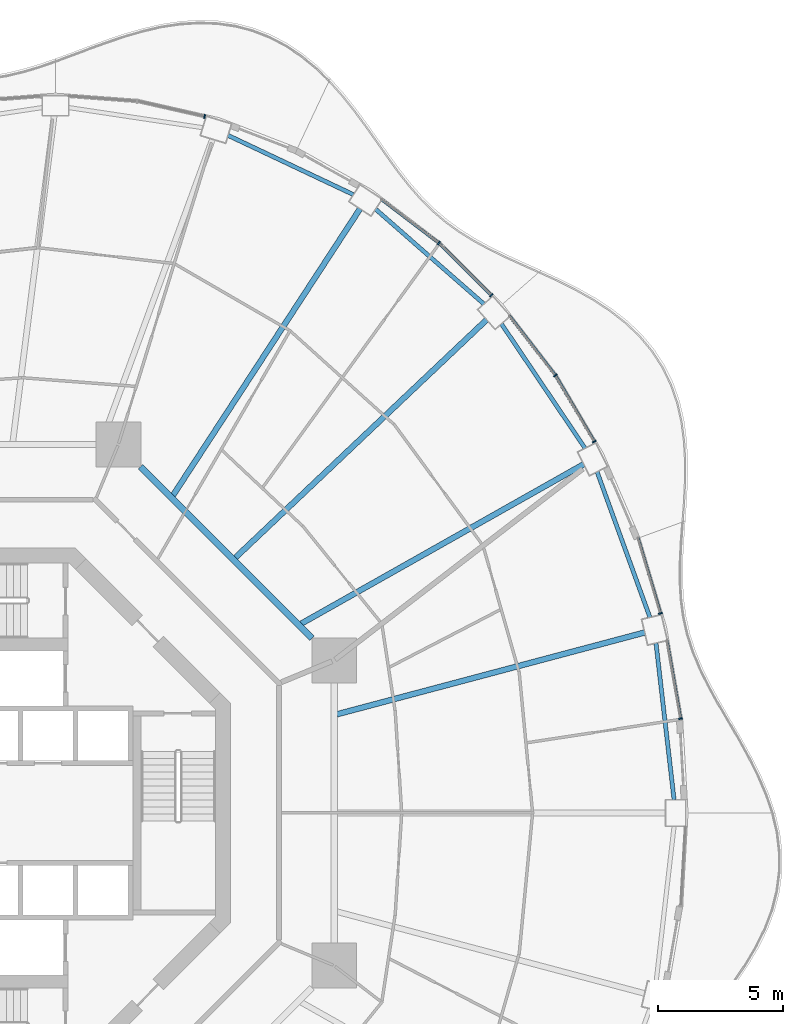
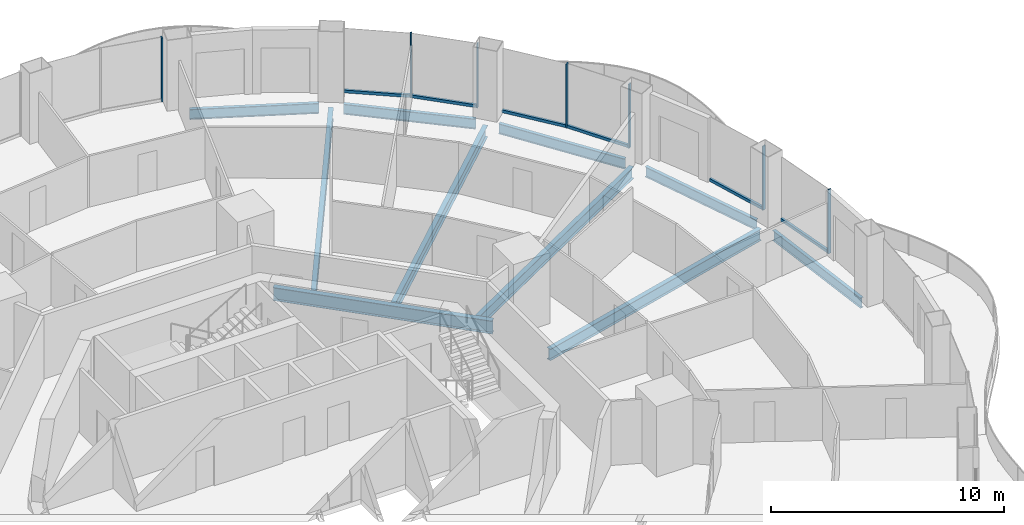
# One storey, part 8 of 19: 13 members, 10 beams, 7 elements without a shape of their own.
"""IFC4 building model written with IfcOpenShell, lengths in metres."""

import ifcopenshell
import ifcopenshell.guid

model = None  # the IFC model being written
_history = None  # IfcOwnerHistory: only IFC2X3 demands one
_inside = {}  # id of a spatial element -> (the spatial element, [elements in it])
_under = {}  # id of a project, library or spatial element -> (it, [spatial elements below it])
_declared = {}  # id of a project -> (the project, [libraries it declares])
_typed = {}  # id of a type object -> (the type object, [elements of that type])
_made_of = {}  # id of a material, layer set ... -> (it, [elements and type objects made of it])


def new_model(schema):
    """Start an empty IFC model of exactly this schema.

    Asked for "IFC4X3", IfcOpenShell would pick the latest addendum, in which some entities
    have other attributes; the version numbers below select the first issue.
    IFC2X3 requires an IfcOwnerHistory on every rooted entity: one is made here for all.
    """
    global model, _history
    if schema == "IFC4X3":
        model = ifcopenshell.file(schema_version=(4, 3, 0, 0))
    else:
        model = ifcopenshell.file(schema=schema)
    _inside.clear()
    _under.clear()
    _declared.clear()
    _typed.clear()
    _made_of.clear()
    _history = None
    if model.schema == "IFC2X3":
        org = make("IfcOrganization", Name="unknown")
        user = make(
            "IfcPersonAndOrganization",
            ThePerson=make("IfcPerson", FamilyName="unknown"),
            TheOrganization=org,
        )
        app = make(
            "IfcApplication",
            ApplicationDeveloper=org,
            Version="unknown",
            ApplicationFullName="unknown",
            ApplicationIdentifier="unknown",
        )
        _history = make(
            "IfcOwnerHistory",
            OwningUser=user,
            OwningApplication=app,
            ChangeAction="ADDED",
            CreationDate=0,
        )
    return model


def make(cls, **values):
    """One entity of the class cls with the attributes given. An attribute that is None is left unset."""
    return model.create_entity(
        cls, **{name: value for name, value in values.items() if value is not None}
    )


def rooted(cls, **values):
    """An entity with a GlobalId (a new one), such as an element, a storey or a relation."""
    return make(cls, GlobalId=ifcopenshell.guid.new(), OwnerHistory=_history, **values)


def si_unit(unit_type, name, prefix=None):
    """IfcSIUnit, for example si_unit("LENGTHUNIT", "METRE", prefix="MILLI")."""
    return make("IfcSIUnit", UnitType=unit_type, Prefix=prefix, Name=name)


def assignment(units):
    """IfcUnitAssignment: the units of a project."""
    return None if units is None else make("IfcUnitAssignment", Units=units)


def point(xyz):
    """IfcCartesianPoint."""
    return None if xyz is None else make("IfcCartesianPoint", Coordinates=xyz)


def direction(xyz):
    """IfcDirection."""
    return None if xyz is None else make("IfcDirection", DirectionRatios=xyz)


def frame(location, z_axis=None, x_axis=None):
    """IfcAxis2Placement3D, a coordinate frame: its origin and axes. An axis left out is left unset."""
    return make(
        "IfcAxis2Placement3D",
        Location=point(location),
        Axis=direction(z_axis),
        RefDirection=direction(x_axis),
    )


def frame_2d(location, x_axis=None):
    """IfcAxis2Placement2D, a coordinate frame in the plane: its origin and x axis."""
    return make(
        "IfcAxis2Placement2D", Location=point(location), RefDirection=direction(x_axis)
    )


def origin():
    """The frame at (0, 0, 0) with its axes left unset."""
    return frame((0.0, 0.0, 0.0))


def origin_2d():
    """The frame at (0, 0) in the plane with its x axis left unset."""
    return frame_2d((0.0, 0.0))


def place(relative_to, where):
    """IfcLocalPlacement: puts the frame where relative to a parent placement (None: the world)."""
    return make(
        "IfcLocalPlacement", PlacementRelTo=relative_to, RelativePlacement=where
    )


def context(
    kind, dimensions, precision=None, world=None, true_north=None, identifier=None
):
    """IfcGeometricRepresentationContext, for example the 3D "Model" context."""
    return make(
        "IfcGeometricRepresentationContext",
        ContextIdentifier=identifier,
        ContextType=kind,
        CoordinateSpaceDimension=dimensions,
        Precision=precision,
        WorldCoordinateSystem=world,
        TrueNorth=true_north,
    )


def subcontext(parent, identifier, kind, view, scale=None):
    """IfcGeometricRepresentationSubContext, for example "Body" below "Model"."""
    return make(
        "IfcGeometricRepresentationSubContext",
        ContextIdentifier=identifier,
        ContextType=kind,
        ParentContext=parent,
        TargetScale=scale,
        TargetView=view,
    )


def project(units=None, contexts=None):
    """IfcProject with its units and contexts."""
    return rooted(
        "IfcProject",
        Name="project",
        RepresentationContexts=contexts,
        UnitsInContext=assignment(units),
    )


def spatial(cls, under=None, at=None, **own):
    """A site, building, storey or space (cls), placed at a placement, below another one or the project."""
    s = rooted(cls, ObjectPlacement=at, **own)
    if under is not None:
        _under.setdefault(under.id(), (under, []))[1].append(s)
    return s


def profile(cls, at=None, kind="AREA", **sizes):
    """A parametric profile (cls). Its sizes go by their IFC names, for example OverallWidth=200.0."""
    return make(cls, ProfileType=kind, Position=at, **sizes)


def rectangle(**sizes):
    """IfcRectangleProfileDef."""
    return profile("IfcRectangleProfileDef", **sizes)


def i_section(**sizes):
    """IfcIShapeProfileDef."""
    return profile("IfcIShapeProfileDef", **sizes)


def extrude(swept, where, along, depth):
    """IfcExtrudedAreaSolid: the profile swept, set in the frame where, extruded along a direction by depth."""
    return make(
        "IfcExtrudedAreaSolid",
        SweptArea=swept,
        Position=where,
        ExtrudedDirection=direction(along),
        Depth=depth,
    )


def shape(context_of_items, identifier, shape_type, items):
    """IfcShapeRepresentation: the items that make up one representation, for example the "Body"."""
    return make(
        "IfcShapeRepresentation",
        ContextOfItems=context_of_items,
        RepresentationIdentifier=identifier,
        RepresentationType=shape_type,
        Items=items,
    )


def material(Name=None, Category=None):
    """IfcMaterial."""
    return make("IfcMaterial", Name=Name, Category=Category)


def layer(
    of_material, thickness, ventilated=None, Name=None, Category=None, Priority=None
):
    """IfcMaterialLayer: one layer of a wall or slab, of a material (None: an air gap)."""
    return make(
        "IfcMaterialLayer",
        Material=of_material,
        LayerThickness=thickness,
        IsVentilated=ventilated,
        Name=Name,
        Category=Category,
        Priority=Priority,
    )


def layer_set(layers, Name=None):
    """IfcMaterialLayerSet."""
    return make("IfcMaterialLayerSet", MaterialLayers=layers, LayerSetName=Name)


def material_profile(
    of_material, cross_section, Name=None, Category=None, Priority=None
):
    """IfcMaterialProfile: a cross section and its material."""
    return make(
        "IfcMaterialProfile",
        Name=Name,
        Material=of_material,
        Profile=cross_section,
        Priority=Priority,
        Category=Category,
    )


def profile_set(profiles, Name=None, composite=None):
    """IfcMaterialProfileSet."""
    return make(
        "IfcMaterialProfileSet",
        Name=Name,
        MaterialProfiles=profiles,
        CompositeProfile=composite,
    )


def made_of(thing, what):
    """Note that an element or type object is made of a material, layer set ...; save() writes the relation."""
    if what is not None:
        _made_of.setdefault(what.id(), (what, []))[1].append(thing)
    return thing


def type_object(cls, material=None, **own):
    """A type object (cls), such as IfcWallType, which elements share."""
    return made_of(rooted(cls, **own), material)


def element(
    cls,
    number,
    at=None,
    inside=None,
    cuts=None,
    type_object=None,
    material=None,
    context=None,
    identifier="Body",
    shape_type=None,
    held_by="IfcProductDefinitionShape",
    body=None,
    shapes=None,
    **own,
):
    """One element of the class cls, such as IfcWall. Its Tag is "e" and its number.

    at: its placement. inside: the storey or other place that contains it. cuts: it is an
    opening in that element (IfcRelVoidsElement). A single representation is given by context,
    identifier, shape_type and body (its items); several are given by shapes. held_by: the class
    of the entity that holds the representations. save() writes the other relations.
    """
    e = rooted(cls, Tag="e%d" % number, ObjectPlacement=at, **own)
    if body is not None:
        shapes = [shape(context, identifier, shape_type, body)]
    if shapes is not None:
        e.Representation = make(held_by, Representations=shapes)
    if inside is not None:
        _inside.setdefault(inside.id(), (inside, []))[1].append(e)
    if cuts is not None:
        rooted(
            "IfcRelVoidsElement", RelatingBuildingElement=cuts, RelatedOpeningElement=e
        )
    if type_object is not None:
        _typed.setdefault(type_object.id(), (type_object, []))[1].append(e)
    return made_of(e, material)


def aggregate(whole, parts):
    """IfcRelAggregates: a whole, such as a stair, and the parts it consists of."""
    return rooted("IfcRelAggregates", RelatingObject=whole, RelatedObjects=parts)


def save(model, path):
    """Write the relations noted so far, then the file.

    IfcRelAggregates (storeys below a building ...), IfcRelContainedInSpatialStructure (elements
    in a storey), IfcRelDefinesByType, IfcRelAssociatesMaterial and IfcRelDeclares: one each for
    every whole, place, type object, material and project.
    """
    for whole, parts in _under.values():
        aggregate(whole, parts)
    for where, things in _inside.values():
        rooted(
            "IfcRelContainedInSpatialStructure",
            RelatedElements=things,
            RelatingStructure=where,
        )
    for kind, things in _typed.values():
        rooted("IfcRelDefinesByType", RelatedObjects=things, RelatingType=kind)
    for what, things in _made_of.values():
        rooted("IfcRelAssociatesMaterial", RelatedObjects=things, RelatingMaterial=what)
    for by, libraries in _declared.values():
        rooted("IfcRelDeclares", RelatingContext=by, RelatedDefinitions=libraries)
    model.write(path)


model = new_model("IFC4")

# Units and contexts
model_context = context("Model", 3, precision=1e-05, world=origin(), true_north=direction((0.0, 1.0)))
body_context = subcontext(model_context, "Body", "Model", "MODEL_VIEW")
ifc_project = project(units=[si_unit("LENGTHUNIT", "METRE"), si_unit("AREAUNIT", "SQUARE_METRE"), si_unit("VOLUMEUNIT", "CUBIC_METRE"), si_unit("PLANEANGLEUNIT", "RADIAN"), si_unit("MASSUNIT", "GRAM", prefix="KILO")], contexts=[model_context])

# Site, building, storey
site_placement = place(None, origin())
site = spatial("IfcSite", under=ifc_project, at=site_placement, CompositionType="ELEMENT")
building_placement = place(site_placement, origin())
building = spatial("IfcBuilding", under=site, at=building_placement, Name="Nagisa Residences", CompositionType="ELEMENT")
storey_placement = place(building_placement, frame((0.0, 0.0, 202.89990234375)))
storey = spatial("IfcBuildingStorey", under=building, at=storey_placement, Name="L51", CompositionType="ELEMENT", Elevation=202.89990234375)

# Curtain wall, member
ifc_material_1 = material(Name="Concrete-coloured aluminium curtain wall system", Category="concrete")
ifc_layer = layer(ifc_material_1, 0.159912109375)
ifc_layer_set = layer_set([ifc_layer], Name="CW1 CURTAIN WALL")
curtain_wall_type = type_object("IfcCurtainWallType", Name="CW1 CURTAIN WALL", PredefinedType="NOTDEFINED", material=ifc_layer_set)
curtain_wall_1_placement = place(storey_placement, origin())
curtain_wall_1 = element("IfcCurtainWall", 1, at=curtain_wall_1_placement, inside=storey, type_object=curtain_wall_type, Name="cw:CW1:L51:01", PredefinedType="NOTDEFINED")
ifc_material_2 = material(Name="Concrete-coloured aluminium", Category="concrete")
ifc_material_profile_1 = material_profile(ifc_material_2, rectangle(XDim=0.159912109375, YDim=0.06005859375, at=origin_2d()), Name="CW1 MULLION 160x60")
ifc_profile_set_1 = profile_set([ifc_material_profile_1], Name="Concrete-coloured aluminium")
member_type_1 = type_object("IfcMemberType", Name="CW1 MULLION 160x60", PredefinedType="MULLION", material=ifc_profile_set_1)
member_1_placement = place(storey_placement, frame((28.673828125, 3.78466796875, 0.0), z_axis=(0.0, 0.0, 1.0), x_axis=(-0.985063604377, -0.172190868898, 0.0)))
member_1 = element("IfcMember", 2, at=member_1_placement, type_object=member_type_1, Name="CW1 mullion", PredefinedType="MULLION", context=body_context, shape_type="SweptSolid", body=[
    extrude(rectangle(XDim=0.159912109375, YDim=0.06005859375, at=origin_2d()), origin(), (0.0, 0.0, 1.0), 3.35009765625),
])

curtain_wall_2_placement = place(storey_placement, origin())
curtain_wall_2 = element("IfcCurtainWall", 3, at=curtain_wall_2_placement, inside=storey, type_object=curtain_wall_type, Name="cw:CW1:L51:02", PredefinedType="NOTDEFINED")
member_2_placement = place(storey_placement, frame((27.867919921875, 8.00634765625, 0.0), z_axis=(0.0, 0.0, 1.0), x_axis=(-0.958271310082, -0.285860274038, 0.0)))
member_2 = element("IfcMember", 4, at=member_2_placement, type_object=member_type_1, Name="CW1 mullion", PredefinedType="MULLION", context=body_context, shape_type="SweptSolid", body=[
    extrude(rectangle(XDim=0.159912109375, YDim=0.06005859375, at=origin_2d()), origin(), (0.0, 0.0, 1.0), 3.35009765625),
])

curtain_wall_3_placement = place(storey_placement, origin())
curtain_wall_3 = element("IfcCurtainWall", 5, at=curtain_wall_3_placement, inside=storey, type_object=curtain_wall_type, Name="cw:CW1:L51:04", PredefinedType="NOTDEFINED")
member_3_placement = place(storey_placement, frame((25.212646484375, 14.897216796875, 0.0), z_axis=(0.0, 0.0, 1.0), x_axis=(-0.862328898214, -0.506348567002, 0.0)))
member_3 = element("IfcMember", 6, at=member_3_placement, type_object=member_type_1, Name="CW1 mullion", PredefinedType="MULLION", context=body_context, shape_type="SweptSolid", body=[
    extrude(rectangle(XDim=0.159912109375, YDim=0.06005859375, at=origin_2d()), origin(), (0.0, 0.0, 1.0), 3.35009765625),
])

curtain_wall_4_placement = place(storey_placement, origin())
curtain_wall_4 = element("IfcCurtainWall", 7, at=curtain_wall_4_placement, inside=storey, type_object=curtain_wall_type, Name="cw:CW1:L51:05", PredefinedType="NOTDEFINED")
member_4_placement = place(storey_placement, frame((23.649658203125, 17.552978515625, 0.0), z_axis=(0.0, 0.0, 1.0), x_axis=(-0.792070340816, -0.610429828235, 0.0)))
member_4 = element("IfcMember", 8, at=member_4_placement, type_object=member_type_1, Name="CW1 mullion", PredefinedType="MULLION", context=body_context, shape_type="SweptSolid", body=[
    extrude(rectangle(XDim=0.159912109375, YDim=0.06005859375, at=origin_2d()), origin(), (0.0, 0.0, 1.0), 3.35009765625),
])

curtain_wall_5_placement = place(storey_placement, origin())
curtain_wall_5 = element("IfcCurtainWall", 9, at=curtain_wall_5_placement, inside=storey, type_object=curtain_wall_type, Name="cw:CW1:L51:06", PredefinedType="NOTDEFINED")
member_5_placement = place(storey_placement, frame((21.07568359375, 20.770751953125, 0.0), z_axis=(0.0, 0.0, 1.0), x_axis=(-0.706376885714, -0.707835924016, 0.0)))
member_5 = element("IfcMember", 10, at=member_5_placement, type_object=member_type_1, Name="CW1 mullion", PredefinedType="MULLION", context=body_context, shape_type="SweptSolid", body=[
    extrude(rectangle(XDim=0.159912109375, YDim=0.06005859375, at=origin_2d()), origin(), (0.0, 0.0, 1.0), 3.35009765625),
])

curtain_wall_6_placement = place(storey_placement, origin())
curtain_wall_6 = element("IfcCurtainWall", 11, at=curtain_wall_6_placement, inside=storey, type_object=curtain_wall_type, Name="cw:CW1:L51:07", PredefinedType="NOTDEFINED")
member_6_placement = place(storey_placement, frame((18.97509765625, 22.862548828125, 0.0), z_axis=(0.0, 0.0, 1.0), x_axis=(-0.605255421737, -0.79603132756, 0.0)))
member_6 = element("IfcMember", 12, at=member_6_placement, type_object=member_type_1, Name="CW1 mullion", PredefinedType="MULLION", context=body_context, shape_type="SweptSolid", body=[
    extrude(rectangle(XDim=0.159912109375, YDim=0.06005859375, at=origin_2d()), origin(), (0.0, 0.0, 1.0), 3.35009765625),
])

curtain_wall_7_placement = place(storey_placement, origin())
curtain_wall_7 = element("IfcCurtainWall", 13, at=curtain_wall_7_placement, inside=storey, type_object=curtain_wall_type, Name="cw:CW1:L51:10", PredefinedType="NOTDEFINED")
member_7_placement = place(storey_placement, frame((9.584228515625, 27.941162109375, 0.0), z_axis=(0.0, 0.0, 1.0), x_axis=(-0.2207639201, -0.975327274089, 0.0)))
member_7 = element("IfcMember", 14, at=member_7_placement, type_object=member_type_1, Name="CW1 mullion", PredefinedType="MULLION", context=body_context, shape_type="SweptSolid", body=[
    extrude(rectangle(XDim=0.159912109375, YDim=0.06005859375, at=origin_2d()), origin(), (0.0, 0.0, 1.0), 3.35009765625),
])
aggregate(curtain_wall_7, [member_7])

# Member
ifc_material_3 = material(Name="Concrete-coloured aluminium", Category="concrete")
ifc_material_profile_2 = material_profile(ifc_material_3, rectangle(XDim=0.1201171875, YDim=0.14990234375, at=origin_2d()), Name="CW1 TRANSOM 120x150")
ifc_profile_set_2 = profile_set([ifc_material_profile_2], Name="Concrete-coloured aluminium")
member_type_2 = type_object("IfcMemberType", Name="CW1 TRANSOM 120x150", PredefinedType="USERDEFINED", material=ifc_profile_set_2)
member_8_placement = place(storey_placement, frame((28.67919921875, 3.755126953125, 0.0751953125), z_axis=(-0.172236453102, 0.98505563509, 0.0), x_axis=(-0.98505563509, -0.172236453102, 0.0)))
member_8 = element("IfcMember", 15, at=member_8_placement, type_object=member_type_2, Name="CW1 transom", ObjectType="TRANSOM", PredefinedType="USERDEFINED", context=body_context, shape_type="SweptSolid", body=[
    extrude(rectangle(XDim=0.1201171875, YDim=0.14990234375, at=origin_2d()), origin(), (0.0, 0.0, 1.0), 3.210693359375),
])

aggregate(curtain_wall_1, [member_1, member_8])

member_9_placement = place(storey_placement, frame((27.87646484375, 7.9775390625, 0.0751953125), z_axis=(-0.28584838049, 0.958274857946, 0.0), x_axis=(-0.958274857946, -0.28584838049, 0.0)))
member_9 = element("IfcMember", 16, at=member_9_placement, type_object=member_type_2, Name="CW1 transom", ObjectType="TRANSOM", PredefinedType="USERDEFINED", context=body_context, shape_type="SweptSolid", body=[
    extrude(rectangle(XDim=0.1201171875, YDim=0.14990234375, at=origin_2d()), origin(), (0.0, 0.0, 1.0), 3.182373046875),
])

aggregate(curtain_wall_2, [member_2, member_9])

member_10_placement = place(storey_placement, frame((25.22802734375, 14.871337890625, 0.0751953125), z_axis=(-0.506367803691, 0.862317602386, 0.0), x_axis=(-0.862317602386, -0.506367803691, 0.0)))
member_10 = element("IfcMember", 17, at=member_10_placement, type_object=member_type_2, Name="CW1 transom", ObjectType="TRANSOM", PredefinedType="USERDEFINED", context=body_context, shape_type="SweptSolid", body=[
    extrude(rectangle(XDim=0.1201171875, YDim=0.14990234375, at=origin_2d()), origin(), (0.0, 0.0, 1.0), 3.092041015625),
])

aggregate(curtain_wall_3, [member_3, member_10])

member_11_placement = place(storey_placement, frame((23.66796875, 17.529052734375, 0.0751953125), z_axis=(-0.610398538814, 0.792094453846, 0.0), x_axis=(-0.792094453846, -0.610398538814, 0.0)))
member_11 = element("IfcMember", 18, at=member_11_placement, type_object=member_type_2, Name="CW1 transom", ObjectType="TRANSOM", PredefinedType="USERDEFINED", context=body_context, shape_type="SweptSolid", body=[
    extrude(rectangle(XDim=0.1201171875, YDim=0.14990234375, at=origin_2d()), origin(), (0.0, 0.0, 1.0), 3.035400390625),
])

aggregate(curtain_wall_4, [member_4, member_11])

member_12_placement = place(storey_placement, frame((21.096923828125, 20.74951171875, 0.0751953125), z_axis=(-0.707803821372, 0.706409053206, 0.0), x_axis=(-0.706409053206, -0.707803821372, 0.0)))
member_12 = element("IfcMember", 19, at=member_12_placement, type_object=member_type_2, Name="CW1 transom", ObjectType="TRANSOM", PredefinedType="USERDEFINED", context=body_context, shape_type="SweptSolid", body=[
    extrude(rectangle(XDim=0.1201171875, YDim=0.14990234375, at=origin_2d()), origin(), (0.0, 0.0, 1.0), 2.9755859375),
])

aggregate(curtain_wall_5, [member_5, member_12])

member_13_placement = place(storey_placement, frame((18.998779296875, 22.844482421875, 0.0751953125), z_axis=(-0.796025072301, 0.60526364856, 0.0), x_axis=(-0.60526364856, -0.796025072301, 0.0)))
member_13 = element("IfcMember", 20, at=member_13_placement, type_object=member_type_2, Name="CW1 transom", ObjectType="TRANSOM", PredefinedType="USERDEFINED", context=body_context, shape_type="SweptSolid", body=[
    extrude(rectangle(XDim=0.1201171875, YDim=0.14990234375, at=origin_2d()), origin(), (0.0, 0.0, 1.0), 2.916748046875),
])

aggregate(curtain_wall_6, [member_6, member_13])

# Beams
ifc_material_4 = material(Name="Steel ASTM A572 Gr 50", Category="steel")
ifc_material_profile_3 = material_profile(ifc_material_4, i_section(OverallWidth=0.25390625, OverallDepth=0.68408203125, WebThickness=0.012451171875, FlangeThickness=0.018798828125, at=origin_2d()), Name="W690x140")
ifc_profile_set_3 = profile_set([ifc_material_profile_3], Name="Steel ASTM A572 Gr 50")
beam_type_1 = type_object("IfcBeamType", Name="Inner ring beam W690x140", PredefinedType="BEAM", material=ifc_profile_set_3)
beam_1_placement = place(storey_placement, frame((13.896240234375, 7.0087890625, -0.601806640625), z_axis=(-0.707106781187, 0.707106781187, 0.0), x_axis=(-0.707106781187, -0.707106781187, 0.0)))
element("IfcBeam", 21, at=beam_1_placement, inside=storey, type_object=beam_type_1, Name="beam:L51:ib1", PredefinedType="BEAM", context=body_context, shape_type="SweptSolid", body=[
    extrude(i_section(OverallWidth=0.25390625, OverallDepth=0.68408203125, WebThickness=0.012451171875, FlangeThickness=0.018798828125, at=origin_2d()), origin(), (0.0, 0.0, 1.0), 9.740234375),
])
ifc_material_5 = material(Name="Steel ASTM A572 Gr 50", Category="steel")
ifc_material_profile_4 = material_profile(ifc_material_5, i_section(OverallWidth=0.166015625, OverallDepth=0.534912109375, WebThickness=0.01025390625, FlangeThickness=0.0166015625, at=origin_2d()), Name="W530x85")
ifc_profile_set_4 = profile_set([ifc_material_profile_4], Name="Steel ASTM A572 Gr 50")
beam_type_2 = type_object("IfcBeamType", Name="Perimeter ring beam W530x85", PredefinedType="BEAM", material=ifc_profile_set_4)
beam_2_placement = place(storey_placement, frame((28.413818359375, 0.530029296875, -0.52734375), z_axis=(-0.11463289794, 0.993407921606, 0.0), x_axis=(-0.993407921606, -0.11463289794, 0.0)))
element("IfcBeam", 22, at=beam_2_placement, inside=storey, type_object=beam_type_2, Name="beam:L51:pb01", PredefinedType="BEAM", context=body_context, shape_type="SweptSolid", body=[
    extrude(i_section(OverallWidth=0.166015625, OverallDepth=0.534912109375, WebThickness=0.01025390625, FlangeThickness=0.0166015625, at=origin_2d()), origin(), (0.0, 0.0, 1.0), 6.325439453125),
])
beam_3_placement = place(storey_placement, frame((27.4453125, 7.845703125, -0.52734375), z_axis=(-0.341320243926, 0.939947068237, 0.0), x_axis=(-0.939947068237, -0.341320243926, 0.0)))
element("IfcBeam", 23, at=beam_3_placement, inside=storey, type_object=beam_type_2, Name="beam:L51:pb02", PredefinedType="BEAM", context=body_context, shape_type="SweptSolid", body=[
    extrude(i_section(OverallWidth=0.166015625, OverallDepth=0.534912109375, WebThickness=0.01025390625, FlangeThickness=0.0166015625, at=origin_2d()), origin(), (0.0, 0.0, 1.0), 6.212890625),
])
beam_4_placement = place(storey_placement, frame((24.84423828125, 14.630615234375, -0.52734375), z_axis=(-0.558152301307, 0.829738518177, 0.0), x_axis=(-0.829738518177, -0.558152301307, 0.0)))
element("IfcBeam", 24, at=beam_4_placement, inside=storey, type_object=beam_type_2, Name="beam:L51:pb03", PredefinedType="BEAM", context=body_context, shape_type="SweptSolid", body=[
    extrude(i_section(OverallWidth=0.166015625, OverallDepth=0.534912109375, WebThickness=0.01025390625, FlangeThickness=0.0166015625, at=origin_2d()), origin(), (0.0, 0.0, 1.0), 6.013916015625),
])
beam_5_placement = place(storey_placement, frame((20.786865234375, 20.416259765625, -0.52734375), z_axis=(-0.752461486776, 0.658636250838, 0.0), x_axis=(-0.658636250838, -0.752461486776, 0.0)))
element("IfcBeam", 25, at=beam_5_placement, inside=storey, type_object=beam_type_2, Name="beam:L51:pb04", PredefinedType="BEAM", context=body_context, shape_type="SweptSolid", body=[
    extrude(i_section(OverallWidth=0.166015625, OverallDepth=0.534912109375, WebThickness=0.01025390625, FlangeThickness=0.0166015625, at=origin_2d()), origin(), (0.0, 0.0, 1.0), 5.776611328125),
])
beam_6_placement = place(storey_placement, frame((15.553466796875, 24.80224609375, -0.52734375), z_axis=(-0.904157325884, 0.427199637232, 0.0), x_axis=(-0.427199637232, -0.904157325884, 0.0)))
element("IfcBeam", 26, at=beam_6_placement, inside=storey, type_object=beam_type_2, Name="beam:L51:pb05", PredefinedType="BEAM", context=body_context, shape_type="SweptSolid", body=[
    extrude(i_section(OverallWidth=0.166015625, OverallDepth=0.534912109375, WebThickness=0.01025390625, FlangeThickness=0.0166015625, at=origin_2d()), origin(), (0.0, 0.0, 1.0), 5.56396484375),
])
ifc_material_6 = material(Name="Steel ASTM A572 Gr 50", Category="steel")
ifc_material_profile_5 = material_profile(ifc_material_6, i_section(OverallWidth=0.22802734375, OverallDepth=0.60302734375, WebThickness=0.010498046875, FlangeThickness=0.014892578125, at=origin_2d()), Name="W610x101")
ifc_profile_set_5 = profile_set([ifc_material_profile_5], Name="Steel ASTM A572 Gr 50")
beam_type_3 = type_object("IfcBeamType", Name="Radial beam W610x101", PredefinedType="BEAM", material=ifc_profile_set_5)
beam_7_placement = place(storey_placement, frame((27.23583984375, 7.239990234375, -0.5615234375), z_axis=(-0.966436061719, -0.256907256826, 0.0), x_axis=(0.256907256826, -0.966436061719, 0.0)))
element("IfcBeam", 27, at=beam_7_placement, inside=storey, type_object=beam_type_3, Name="beam:L51:rb02", PredefinedType="BEAM", context=body_context, shape_type="SweptSolid", body=[
    extrude(i_section(OverallWidth=0.22802734375, OverallDepth=0.60302734375, WebThickness=0.010498046875, FlangeThickness=0.014892578125, at=origin_2d()), origin(), (0.0, 0.0, 1.0), 12.77490234375),
])
beam_8_placement = place(storey_placement, frame((24.789306640625, 13.98828125, -0.5615234375), z_axis=(-0.870904520395, -0.491452252366, 0.0), x_axis=(0.491452252366, -0.870904520395, 0.0)))
element("IfcBeam", 28, at=beam_8_placement, inside=storey, type_object=beam_type_3, Name="beam:L51:rb03", PredefinedType="BEAM", context=body_context, shape_type="SweptSolid", body=[
    extrude(i_section(OverallWidth=0.22802734375, OverallDepth=0.60302734375, WebThickness=0.010498046875, FlangeThickness=0.014892578125, at=origin_2d()), origin(), (0.0, 0.0, 1.0), 13.007080078125),
])
beam_9_placement = place(storey_placement, frame((20.89501953125, 19.785400390625, -0.5615234375), z_axis=(-0.726119962477, -0.687568033064, 0.0), x_axis=(0.687568033064, -0.726119962477, 0.0)))
element("IfcBeam", 29, at=beam_9_placement, inside=storey, type_object=beam_type_3, Name="beam:L51:rb04", PredefinedType="BEAM", context=body_context, shape_type="SweptSolid", body=[
    extrude(i_section(OverallWidth=0.22802734375, OverallDepth=0.60302734375, WebThickness=0.010498046875, FlangeThickness=0.014892578125, at=origin_2d()), origin(), (0.0, 0.0, 1.0), 13.88134765625),
])
beam_10_placement = place(storey_placement, frame((15.816162109375, 24.234375, -0.5615234375), z_axis=(-0.546541244511, -0.837432187135, 0.0), x_axis=(0.837432187135, -0.546541244511, 0.0)))
element("IfcBeam", 30, at=beam_10_placement, inside=storey, type_object=beam_type_3, Name="beam:L51:rb05", PredefinedType="BEAM", context=body_context, shape_type="SweptSolid", body=[
    extrude(i_section(OverallWidth=0.22802734375, OverallDepth=0.60302734375, WebThickness=0.010498046875, FlangeThickness=0.014892578125, at=origin_2d()), origin(), (0.0, 0.0, 1.0), 13.72412109375),
])

save(model, "model.ifc")
